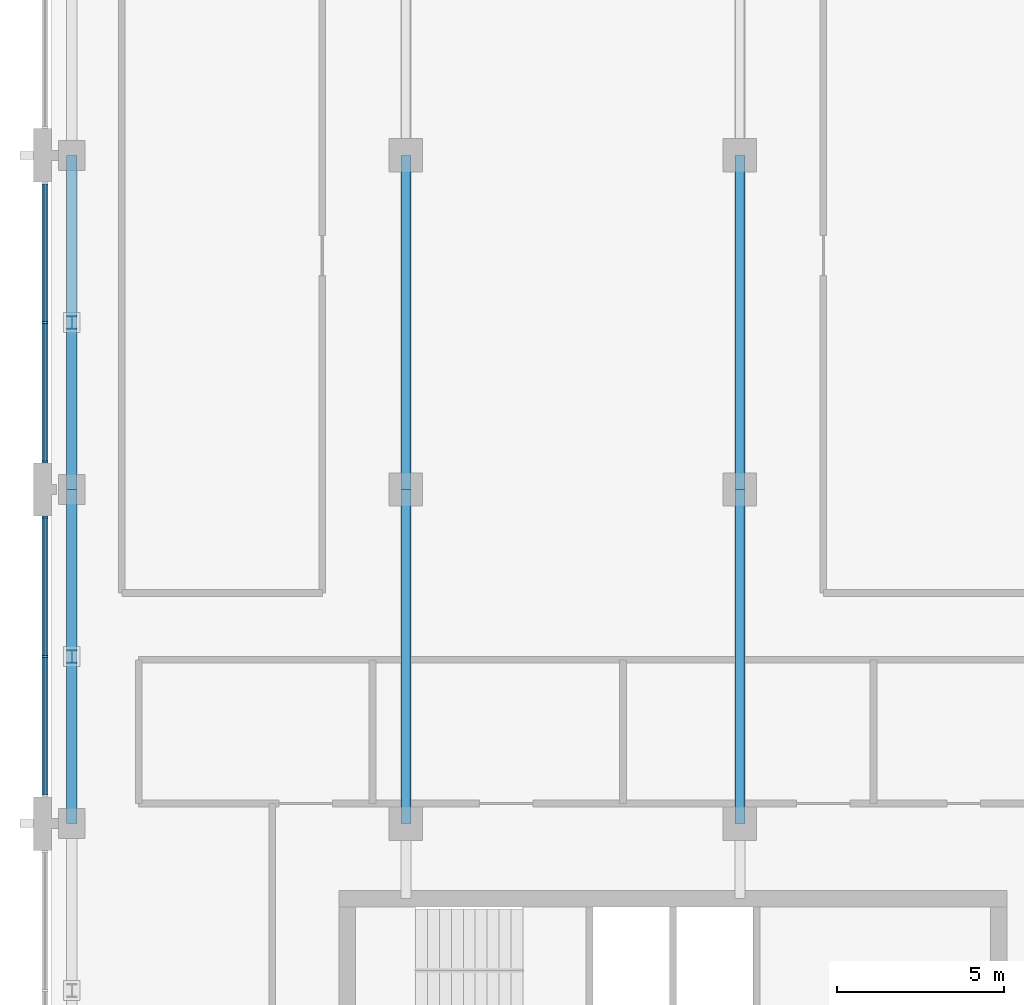
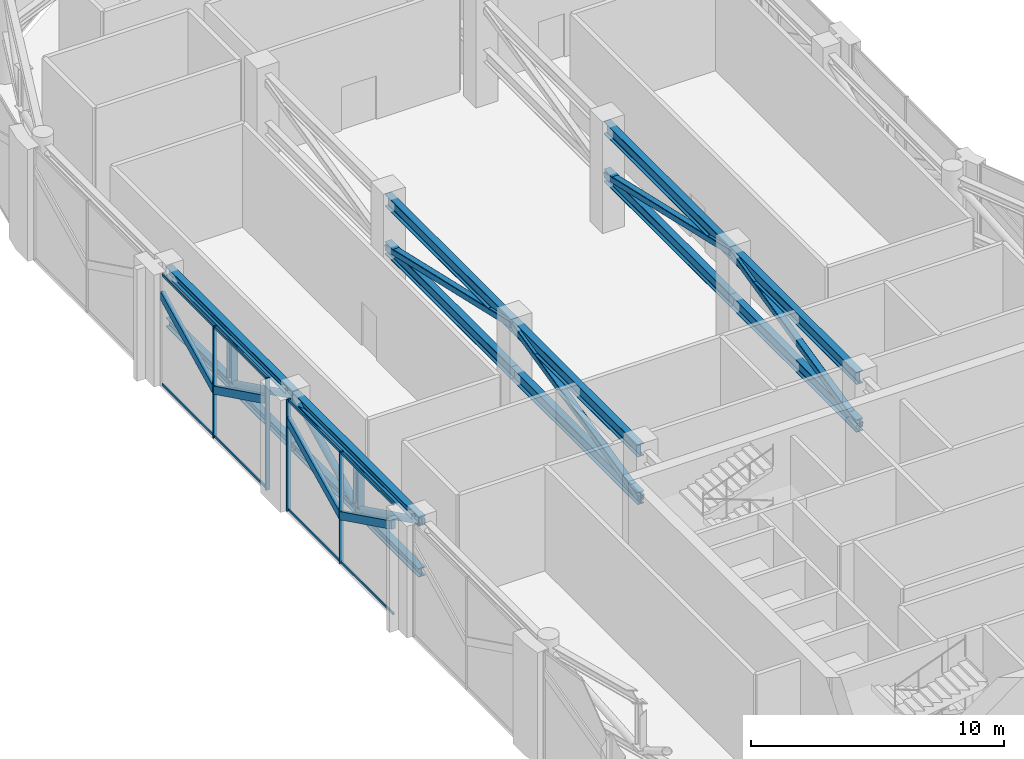
# One storey, part 6 of 18: 37 members, 2 elements without a shape of their own.
"""IFC4 building model written with IfcOpenShell, lengths in metres."""

from ifc_helpers import new_model, si_unit, direction, frame, origin, origin_2d, place, context, subcontext, project, spatial, polyline, rectangle, hollow_rectangle, hollow_circle, i_section, outline, extrude, material, layer, layer_set, material_profile, profile_set, type_object, element, aggregate, save


model = new_model("IFC4")

# Units and contexts
model_context = context("Model", 3, precision=1e-05, world=origin(), true_north=direction((0.0, 1.0)))
body_context = subcontext(model_context, "Body", "Model", "MODEL_VIEW")
ifc_project = project(units=[si_unit("LENGTHUNIT", "METRE"), si_unit("AREAUNIT", "SQUARE_METRE"), si_unit("VOLUMEUNIT", "CUBIC_METRE"), si_unit("PLANEANGLEUNIT", "RADIAN"), si_unit("MASSUNIT", "GRAM", prefix="KILO")], contexts=[model_context])

# Site, building, storey
site_placement = place(None, origin())
site = spatial("IfcSite", under=ifc_project, at=site_placement, CompositionType="ELEMENT")
building_placement = place(site_placement, origin())
building = spatial("IfcBuilding", under=site, at=building_placement, Name="Qaws Garden Tower", CompositionType="ELEMENT")
storey_placement = place(building_placement, frame((0.0, 0.0, 352.800048828125)))
storey = spatial("IfcBuildingStorey", under=building, at=storey_placement, Name="L86", CompositionType="ELEMENT", Elevation=352.800048828125)

# Members
ifc_material_1 = material(Name="Steel S355", Category="steel")
ifc_material_profile_1 = material_profile(ifc_material_1, i_section(OverallWidth=0.306884765625, OverallDepth=0.431884765625, WebThickness=0.02099609375, FlangeThickness=0.0400390625, FilletRadius=0.027099609375, at=origin_2d()), Name="HEM 400")
ifc_profile_set_1 = profile_set([ifc_material_profile_1], Name="Steel S355")
member_type_1 = type_object("IfcMemberType", Name="Belt chord HEM 400", PredefinedType="CHORD", material=ifc_profile_set_1)
for number, where, z_axis, x_axis, name in (
    (1, (0.0, 50.0, 4.783935546875), (0.0, -1.0, 0.0), (1.0, 0.0, 0.0), "Belt truss top chord 15"),
    (2, (0.0, 50.0, 2.31591796875), (0.0, -1.0, 0.0), (1.0, 0.0, 0.0), "Belt truss bottom chord 15"),
    (3, (0.0, 40.0, 4.783935546875), (0.0, -1.0, 0.0), (1.0, 0.0, 0.0), "Belt truss top chord 16"),
    (4, (0.0, 40.0, 2.31591796875), (0.0, -1.0, 0.0), (1.0, 0.0, 0.0), "Belt truss bottom chord 16"),
):
    element("IfcMember", number, at=place(storey_placement, frame(where, z_axis=z_axis, x_axis=x_axis)), inside=storey, type_object=member_type_1, Name=name, PredefinedType="CHORD", context=body_context, shape_type="SweptSolid", body=[
        extrude(i_section(OverallWidth=0.306884765625, OverallDepth=0.431884765625, WebThickness=0.02099609375, FlangeThickness=0.0400390625, FilletRadius=0.027099609375, at=origin_2d()), origin(), (0.0, 0.0, 1.0), 10.0),
    ])
ifc_material_2 = material(Name="Steel S355", Category="steel")
ifc_material_profile_2 = material_profile(ifc_material_2, hollow_circle(Radius=0.161865234375, WallThickness=0.01611328125, at=origin_2d()), Name="CHS 323.9x16")
ifc_profile_set_2 = profile_set([ifc_material_profile_2], Name="Steel S355")
member_type_2 = type_object("IfcMemberType", Name="Belt diagonal CHS 323.9x16", PredefinedType="BRACE", material=ifc_profile_set_2)
for number, where, z_axis, x_axis, name in (
    (5, (0.0, 45.0, 2.31591796875), (0.0, -0.896709736444, 0.442619078404), (1.0, 0.0, 0.0), "Belt truss diagonal 15b"),
    (6, (0.0, 40.0, 4.783935546875), (0.0, -0.896709736444, -0.442619078404), (1.0, 0.0, 0.0), "Belt truss diagonal 16a"),
    (7, (0.0, 35.0, 2.31591796875), (0.0, -0.896709736444, 0.442619078404), (1.0, 0.0, 0.0), "Belt truss diagonal 16b"),
):
    element("IfcMember", number, at=place(storey_placement, frame(where, z_axis=z_axis, x_axis=x_axis)), inside=storey, type_object=member_type_2, Name=name, PredefinedType="BRACE", context=body_context, shape_type="SweptSolid", body=[
        extrude(hollow_circle(Radius=0.161865234375, WallThickness=0.01611328125, at=origin_2d()), origin(), (0.0, 0.0, 1.0), 5.575927734375),
    ])
ifc_material_3 = material(Name="Steel S355", Category="steel")
ifc_material_profile_3 = material_profile(ifc_material_3, i_section(OverallWidth=0.300048828125, OverallDepth=0.39990234375, WebThickness=0.013427734375, FlangeThickness=0.02392578125, FilletRadius=0.027099609375, at=origin_2d()), Name="HEB 400")
ifc_profile_set_3 = profile_set([ifc_material_profile_3], Name="Steel S355")
member_type_3 = type_object("IfcMemberType", Name="Belt post HEB 400", PredefinedType="POST", material=ifc_profile_set_3)
for number, where, z_axis, x_axis, name in (
    (8, (0.0, 45.0, 2.531982421875), (0.0, 0.0, 1.0), (1.0, 0.0, 0.0), "Belt truss post 15"),
    (9, (0.0, 35.0, 2.531982421875), (0.0, 0.0, 1.0), (1.0, 0.0, 0.0), "Belt truss post 16"),
):
    element("IfcMember", number, at=place(storey_placement, frame(where, z_axis=z_axis, x_axis=x_axis)), inside=storey, type_object=member_type_3, Name=name, PredefinedType="POST", context=body_context, shape_type="SweptSolid", body=[
        extrude(i_section(OverallWidth=0.300048828125, OverallDepth=0.39990234375, WebThickness=0.013427734375, FlangeThickness=0.02392578125, FilletRadius=0.027099609375, at=origin_2d()), origin(), (0.0, 0.0, 1.0), 2.035888671875),
    ])

# Curtain wall, members
ifc_material_4 = material(Name="Anodised aluminium curtain wall frame", Category="aluminium")
ifc_layer = layer(ifc_material_4, 0.159912109375)
ifc_layer_set = layer_set([ifc_layer], Name="Anodised aluminium curtain wall frame")
curtain_wall_type = type_object("IfcCurtainWallType", Name="CW6 plant floor louvre glazing curtain wall", PredefinedType="NOTDEFINED", material=ifc_layer_set)
placement_1 = place(storey_placement, origin())
curtain_wall_1 = element("IfcCurtainWall", 10, at=placement_1, inside=storey, type_object=curtain_wall_type, Name="CW6 Plant floor louvre glazing 18", PredefinedType="NOTDEFINED")
ifc_material_5 = material(Name="Anodised aluminium curtain wall frame", Category="aluminium")
ifc_material_profile_4 = material_profile(ifc_material_5, rectangle(XDim=0.179931640625, YDim=0.360107421875, at=origin_2d()), Name="AL 180x360")
ifc_profile_set_4 = profile_set([ifc_material_profile_4], Name="Anodised aluminium curtain wall frame")
member_type_4 = type_object("IfcMemberType", Name="CW6 inclined transom 360 x 180", PredefinedType="USERDEFINED", material=ifc_profile_set_4)
placement_2 = place(storey_placement, frame((-0.800048828125, 49.199951171875, 0.119873046875), z_axis=(0.0, 0.0, 1.0), x_axis=(0.0, -1.0, 0.0)))
member_1 = element("IfcMember", 11, at=placement_2, type_object=member_type_4, Name="CW6 inclined transom 1.1", ObjectType="TRANSOM", PredefinedType="USERDEFINED", context=body_context, shape_type="SweptSolid", body=[
    extrude(outline(polyline([(0.06005859375, 4.038818359375), (4.169921875, 2.01025390625), (4.169921875, 2.41162109375), (0.06005859375, 4.440185546875), (0.06005859375, 4.038818359375)])), frame((0.0, 0.08984375, 0.0), z_axis=(0.0, -1.0, 0.0), x_axis=(1.0, 0.0, 0.0)), (0.0, 0.0, 1.0), 0.179931640625),
])
member_2 = element("IfcMember", 12, at=placement_2, type_object=member_type_4, Name="CW6 inclined transom 2.1", ObjectType="TRANSOM", PredefinedType="USERDEFINED", context=body_context, shape_type="SweptSolid", body=[
    extrude(outline(polyline([(4.22998046875, 2.01025390625), (8.340087890625, 4.038818359375), (8.340087890625, 4.440185546875), (4.22998046875, 2.41162109375), (4.22998046875, 2.01025390625)])), frame((0.0, 0.08984375, 0.0), z_axis=(0.0, -1.0, 0.0), x_axis=(1.0, 0.0, 0.0)), (0.0, 0.0, 1.0), 0.179931640625),
])

curtain_wall_2 = element("IfcCurtainWall", 13, at=placement_1, inside=storey, type_object=curtain_wall_type, Name="CW6 Plant floor louvre glazing 19", PredefinedType="NOTDEFINED")
placement_3 = place(storey_placement, frame((-0.800048828125, 39.199951171875, 0.119873046875), z_axis=(0.0, 0.0, 1.0), x_axis=(0.0, -1.0, 0.0)))
member_3 = element("IfcMember", 14, at=placement_3, type_object=member_type_4, Name="CW6 inclined transom 1.1", ObjectType="TRANSOM", PredefinedType="USERDEFINED", context=body_context, shape_type="SweptSolid", body=[
    extrude(outline(polyline([(0.06005859375, 4.038818359375), (4.169921875, 2.01025390625), (4.169921875, 2.41162109375), (0.06005859375, 4.440185546875), (0.06005859375, 4.038818359375)])), frame((0.0, 0.08984375, 0.0), z_axis=(0.0, -1.0, 0.0), x_axis=(1.0, 0.0, 0.0)), (0.0, 0.0, 1.0), 0.179931640625),
])
member_4 = element("IfcMember", 15, at=placement_3, type_object=member_type_4, Name="CW6 inclined transom 2.1", ObjectType="TRANSOM", PredefinedType="USERDEFINED", context=body_context, shape_type="SweptSolid", body=[
    extrude(outline(polyline([(4.22998046875, 2.01025390625), (8.340087890625, 4.038818359375), (8.340087890625, 4.440185546875), (4.22998046875, 2.41162109375), (4.22998046875, 2.01025390625)])), frame((0.0, 0.08984375, 0.0), z_axis=(0.0, -1.0, 0.0), x_axis=(1.0, 0.0, 0.0)), (0.0, 0.0, 1.0), 0.179931640625),
])

# Member
ifc_material_6 = material(Name="Anodised aluminium curtain wall frame", Category="aluminium")
ifc_material_profile_5 = material_profile(ifc_material_6, rectangle(XDim=0.179931640625, YDim=0.06005859375, at=origin_2d()), Name="AL 60x180")
ifc_profile_set_5 = profile_set([ifc_material_profile_5], Name="Anodised aluminium curtain wall frame")
member_type_5 = type_object("IfcMemberType", Name="CW6 mullion 60 x 180", PredefinedType="MULLION", material=ifc_profile_set_5)
member_5_placement = place(storey_placement, frame((-0.800048828125, 45.0, 0.0), z_axis=(0.0, 0.0, 1.0), x_axis=(1.0, 0.0, 0.0)))
member_5 = element("IfcMember", 16, at=member_5_placement, type_object=member_type_5, Name="CW6 mullion 2", PredefinedType="MULLION", context=body_context, shape_type="SweptSolid", body=[
    extrude(rectangle(XDim=0.179931640625, YDim=0.06005859375, at=origin_2d()), origin(), (0.0, 0.0, 1.0), 5.39990234375),
])

member_6_placement = place(storey_placement, frame((-0.800048828125, 40.830078125, 0.0), z_axis=(0.0, 0.0, 1.0), x_axis=(1.0, 0.0, 0.0)))
member_6 = element("IfcMember", 17, at=member_6_placement, type_object=member_type_5, Name="CW6 mullion 3", PredefinedType="MULLION", context=body_context, shape_type="SweptSolid", body=[
    extrude(rectangle(XDim=0.179931640625, YDim=0.06005859375, at=origin_2d()), origin(), (0.0, 0.0, 1.0), 5.39990234375),
])

member_7_placement = place(storey_placement, frame((-0.800048828125, 39.169921875, 0.0), z_axis=(0.0, 0.0, 1.0), x_axis=(1.0, 0.0, 0.0)))
member_7 = element("IfcMember", 18, at=member_7_placement, type_object=member_type_5, Name="CW6 mullion 1", PredefinedType="MULLION", context=body_context, shape_type="SweptSolid", body=[
    extrude(rectangle(XDim=0.179931640625, YDim=0.06005859375, at=origin_2d()), origin(), (0.0, 0.0, 1.0), 5.39990234375),
])

member_8_placement = place(storey_placement, frame((-0.800048828125, 35.0, 0.0), z_axis=(0.0, 0.0, 1.0), x_axis=(1.0, 0.0, 0.0)))
member_8 = element("IfcMember", 19, at=member_8_placement, type_object=member_type_5, Name="CW6 mullion 2", PredefinedType="MULLION", context=body_context, shape_type="SweptSolid", body=[
    extrude(rectangle(XDim=0.179931640625, YDim=0.06005859375, at=origin_2d()), origin(), (0.0, 0.0, 1.0), 5.39990234375),
])

ifc_material_7 = material(Name="Anodised aluminium curtain wall frame", Category="aluminium")
ifc_material_profile_6 = material_profile(ifc_material_7, rectangle(XDim=0.06005859375, YDim=0.1201171875, at=origin_2d()), Name="AL 60x120")
ifc_profile_set_6 = profile_set([ifc_material_profile_6], Name="Anodised aluminium curtain wall frame")
member_type_6 = type_object("IfcMemberType", Name="CW6 transom 120 x 60", PredefinedType="USERDEFINED", material=ifc_profile_set_6)
member_9_placement = place(storey_placement, frame((-0.800048828125, 49.139892578125, 0.06005859375), z_axis=(0.0, -1.0, 0.0), x_axis=(1.0, 0.0, 0.0)))
member_9 = element("IfcMember", 20, at=member_9_placement, type_object=member_type_6, Name="CW6 transom 1.1", ObjectType="TRANSOM", PredefinedType="USERDEFINED", context=body_context, shape_type="SweptSolid", body=[
    extrude(rectangle(XDim=0.06005859375, YDim=0.1201171875, at=origin_2d()), origin(), (0.0, 0.0, 1.0), 4.10986328125),
])

member_10_placement = place(storey_placement, frame((-0.800048828125, 49.139892578125, 5.33984375), z_axis=(0.0, -1.0, 0.0), x_axis=(1.0, 0.0, 0.0)))
member_10 = element("IfcMember", 21, at=member_10_placement, type_object=member_type_6, Name="CW6 transom 1.2", ObjectType="TRANSOM", PredefinedType="USERDEFINED", context=body_context, shape_type="SweptSolid", body=[
    extrude(rectangle(XDim=0.06005859375, YDim=0.1201171875, at=origin_2d()), origin(), (0.0, 0.0, 1.0), 4.10986328125),
])

member_11_placement = place(storey_placement, frame((-0.800048828125, 44.969970703125, 0.06005859375), z_axis=(0.0, -1.0, 0.0), x_axis=(1.0, 0.0, 0.0)))
member_11 = element("IfcMember", 22, at=member_11_placement, type_object=member_type_6, Name="CW6 transom 2.1", ObjectType="TRANSOM", PredefinedType="USERDEFINED", context=body_context, shape_type="SweptSolid", body=[
    extrude(rectangle(XDim=0.06005859375, YDim=0.1201171875, at=origin_2d()), origin(), (0.0, 0.0, 1.0), 4.10986328125),
])

member_12_placement = place(storey_placement, frame((-0.800048828125, 44.969970703125, 5.33984375), z_axis=(0.0, -1.0, 0.0), x_axis=(1.0, 0.0, 0.0)))
member_12 = element("IfcMember", 23, at=member_12_placement, type_object=member_type_6, Name="CW6 transom 2.2", ObjectType="TRANSOM", PredefinedType="USERDEFINED", context=body_context, shape_type="SweptSolid", body=[
    extrude(rectangle(XDim=0.06005859375, YDim=0.1201171875, at=origin_2d()), origin(), (0.0, 0.0, 1.0), 4.10986328125),
])

aggregate(curtain_wall_1, [member_5, member_6, member_9, member_10, member_1, member_11, member_12, member_2])

member_13_placement = place(storey_placement, frame((-0.800048828125, 39.139892578125, 0.06005859375), z_axis=(0.0, -1.0, 0.0), x_axis=(1.0, 0.0, 0.0)))
member_13 = element("IfcMember", 24, at=member_13_placement, type_object=member_type_6, Name="CW6 transom 1.1", ObjectType="TRANSOM", PredefinedType="USERDEFINED", context=body_context, shape_type="SweptSolid", body=[
    extrude(rectangle(XDim=0.06005859375, YDim=0.1201171875, at=origin_2d()), origin(), (0.0, 0.0, 1.0), 4.10986328125),
])

member_14_placement = place(storey_placement, frame((-0.800048828125, 39.139892578125, 5.33984375), z_axis=(0.0, -1.0, 0.0), x_axis=(1.0, 0.0, 0.0)))
member_14 = element("IfcMember", 25, at=member_14_placement, type_object=member_type_6, Name="CW6 transom 1.2", ObjectType="TRANSOM", PredefinedType="USERDEFINED", context=body_context, shape_type="SweptSolid", body=[
    extrude(rectangle(XDim=0.06005859375, YDim=0.1201171875, at=origin_2d()), origin(), (0.0, 0.0, 1.0), 4.10986328125),
])

member_15_placement = place(storey_placement, frame((-0.800048828125, 34.969970703125, 0.06005859375), z_axis=(0.0, -1.0, 0.0), x_axis=(1.0, 0.0, 0.0)))
member_15 = element("IfcMember", 26, at=member_15_placement, type_object=member_type_6, Name="CW6 transom 2.1", ObjectType="TRANSOM", PredefinedType="USERDEFINED", context=body_context, shape_type="SweptSolid", body=[
    extrude(rectangle(XDim=0.06005859375, YDim=0.1201171875, at=origin_2d()), origin(), (0.0, 0.0, 1.0), 4.10986328125),
])

member_16_placement = place(storey_placement, frame((-0.800048828125, 34.969970703125, 5.33984375), z_axis=(0.0, -1.0, 0.0), x_axis=(1.0, 0.0, 0.0)))
member_16 = element("IfcMember", 27, at=member_16_placement, type_object=member_type_6, Name="CW6 transom 2.2", ObjectType="TRANSOM", PredefinedType="USERDEFINED", context=body_context, shape_type="SweptSolid", body=[
    extrude(rectangle(XDim=0.06005859375, YDim=0.1201171875, at=origin_2d()), origin(), (0.0, 0.0, 1.0), 4.10986328125),
])

aggregate(curtain_wall_2, [member_7, member_8, member_13, member_14, member_3, member_15, member_16, member_4])

# Members
ifc_material_8 = material(Name="Steel S355", Category="steel")
ifc_material_profile_7 = material_profile(ifc_material_8, i_section(OverallWidth=0.300048828125, OverallDepth=0.60009765625, WebThickness=0.015380859375, FlangeThickness=0.030029296875, FilletRadius=0.027099609375, at=origin_2d()), Name="HEB 600")
ifc_profile_set_7 = profile_set([ifc_material_profile_7], Name="Steel S355")
member_type_7 = type_object("IfcMemberType", Name="Outrigger chord HEB 600", PredefinedType="CHORD", material=ifc_profile_set_7)
for number, where, z_axis, x_axis, name in (
    (28, (10.0, 30.0, 4.699951171875), (0.0, 1.0, 0.0), (-1.0, 0.0, 0.0), "Outrigger 3 top chord 2"),
    (29, (10.0, 30.0, 2.39990234375), (0.0, 1.0, 0.0), (-1.0, 0.0, 0.0), "Outrigger 3 bottom chord 2"),
    (30, (10.0, 40.0, 4.699951171875), (0.0, 1.0, 0.0), (-1.0, 0.0, 0.0), "Outrigger 3 top chord 3"),
    (31, (10.0, 40.0, 2.39990234375), (0.0, 1.0, 0.0), (-1.0, 0.0, 0.0), "Outrigger 3 bottom chord 3"),
    (32, (20.0, 30.0, 4.699951171875), (0.0, 1.0, 0.0), (-1.0, 0.0, 0.0), "Outrigger 4 top chord 2"),
    (33, (20.0, 30.0, 2.39990234375), (0.0, 1.0, 0.0), (-1.0, 0.0, 0.0), "Outrigger 4 bottom chord 2"),
    (34, (20.0, 40.0, 4.699951171875), (0.0, 1.0, 0.0), (-1.0, 0.0, 0.0), "Outrigger 4 top chord 3"),
    (35, (20.0, 40.0, 2.39990234375), (0.0, 1.0, 0.0), (-1.0, 0.0, 0.0), "Outrigger 4 bottom chord 3"),
):
    element("IfcMember", number, at=place(storey_placement, frame(where, z_axis=z_axis, x_axis=x_axis)), inside=storey, type_object=member_type_7, Name=name, PredefinedType="CHORD", context=body_context, shape_type="SweptSolid", body=[
        extrude(i_section(OverallWidth=0.300048828125, OverallDepth=0.60009765625, WebThickness=0.015380859375, FlangeThickness=0.030029296875, FilletRadius=0.027099609375, at=origin_2d()), origin(), (0.0, 0.0, 1.0), 10.0),
    ])
ifc_material_9 = material(Name="Steel S355", Category="steel")
ifc_material_profile_8 = material_profile(ifc_material_9, hollow_rectangle(XDim=0.300048828125, YDim=0.300048828125, WallThickness=0.01611328125, InnerFilletRadius=0.02392578125, OuterFilletRadius=0.0400390625, at=origin_2d()), Name="SHS 300x300x16")
ifc_profile_set_8 = profile_set([ifc_material_profile_8], Name="Steel S355")
member_type_8 = type_object("IfcMemberType", Name="Outrigger diagonal SHS 300x300x16", PredefinedType="BRACE", material=ifc_profile_set_8)
for number, where, z_axis, x_axis, name in (
    (36, (10.0, 30.0, 2.39990234375), (0.0, 0.974554147123, 0.224152212403), (-1.0, 0.0, 0.0), "Outrigger 3 diagonal 2"),
    (37, (10.0, 40.0, 4.699951171875), (0.0, 0.974554147123, -0.224152212403), (-1.0, 0.0, 0.0), "Outrigger 3 diagonal 3"),
    (38, (20.0, 30.0, 2.39990234375), (0.0, 0.974554147123, 0.224152212403), (-1.0, 0.0, 0.0), "Outrigger 4 diagonal 2"),
    (39, (20.0, 40.0, 4.699951171875), (0.0, 0.974554147123, -0.224152212403), (-1.0, 0.0, 0.0), "Outrigger 4 diagonal 3"),
):
    element("IfcMember", number, at=place(storey_placement, frame(where, z_axis=z_axis, x_axis=x_axis)), inside=storey, type_object=member_type_8, Name=name, PredefinedType="BRACE", context=body_context, shape_type="SweptSolid", body=[
        extrude(hollow_rectangle(XDim=0.300048828125, YDim=0.300048828125, WallThickness=0.01611328125, InnerFilletRadius=0.02392578125, OuterFilletRadius=0.0400390625, at=origin_2d()), origin(), (0.0, 0.0, 1.0), 10.260986328125),
    ])

save(model, "model.ifc")
